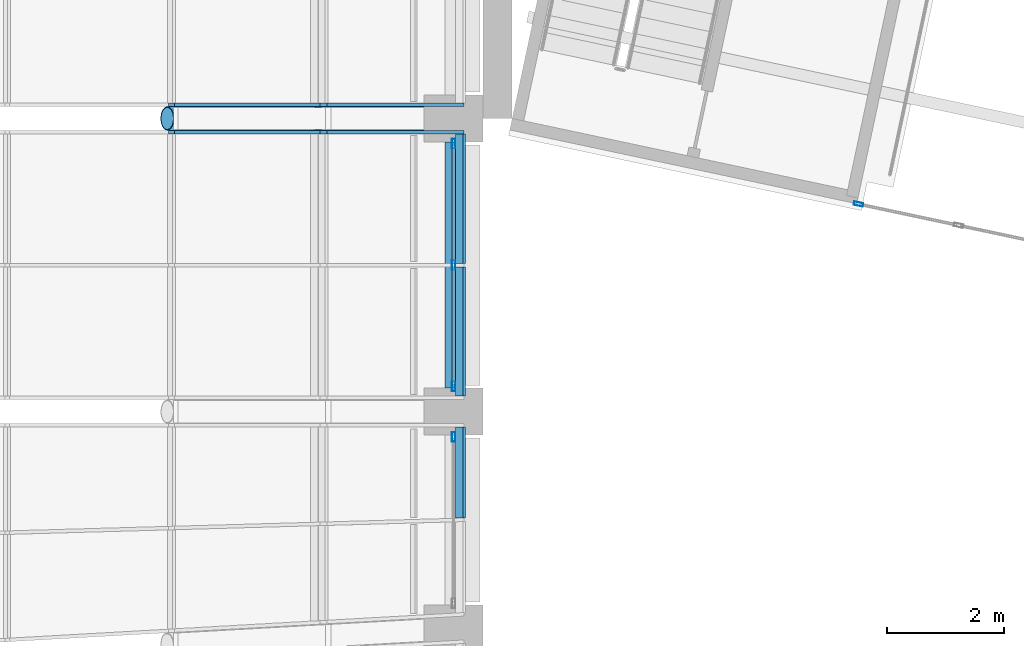
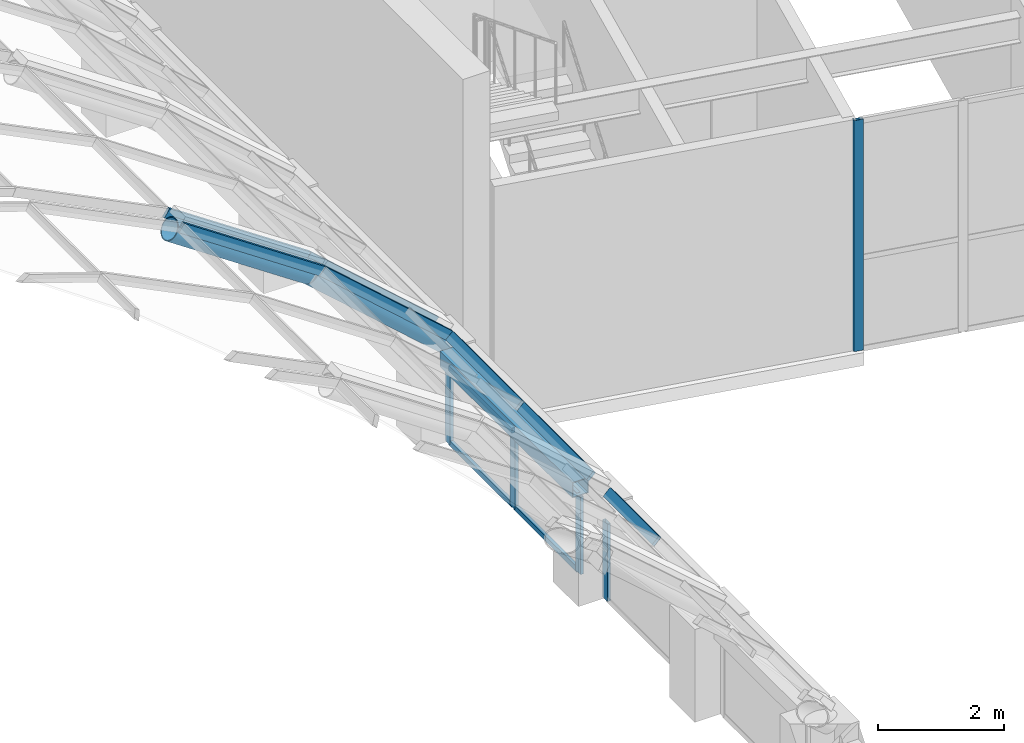
# One storey, part 44 of 182: 18 members, 1 beam, 6 elements without a shape of their own.
"""IFC4 building model written with IfcOpenShell, lengths in metres."""

from ifc_helpers import new_model, si_unit, direction, frame, origin, origin_2d, place, context, subcontext, project, spatial, rectangle, hollow_rectangle, hollow_circle, extrude, material, material_profile, profile_set, type_object, element, aggregate, save


model = new_model("IFC4")

# Units and contexts
model_context = context("Model", 3, precision=1e-05, world=origin(), true_north=direction((0.0, 1.0)))
body_context = subcontext(model_context, "Body", "Model", "MODEL_VIEW")
ifc_project = project(units=[si_unit("LENGTHUNIT", "METRE"), si_unit("AREAUNIT", "SQUARE_METRE"), si_unit("VOLUMEUNIT", "CUBIC_METRE"), si_unit("PLANEANGLEUNIT", "RADIAN"), si_unit("MASSUNIT", "GRAM", prefix="KILO")], contexts=[model_context])

# Site, building, storey
site_placement = place(None, origin())
site = spatial("IfcSite", under=ifc_project, at=site_placement, CompositionType="ELEMENT")
building_placement = place(site_placement, origin())
building = spatial("IfcBuilding", under=site, at=building_placement, Name="Okhra Congress Centre", CompositionType="ELEMENT")
storey_placement = place(building_placement, frame((0.0, 0.0, 7.199951171875)))
storey = spatial("IfcBuildingStorey", under=building, at=storey_placement, Name="L01", CompositionType="ELEMENT", Elevation=7.199951171875)

# Curtain wall, members
ifc_material_1 = material(Name="Aluminium frame with triple glazing", Category="aluminium")
curtain_wall_type_1 = type_object("IfcCurtainWallType", Name="Glazed vault bay curtain wall", PredefinedType="NOTDEFINED", material=ifc_material_1)
curtain_wall_1_placement = place(storey_placement, origin())
curtain_wall_1 = element("IfcCurtainWall", 1, at=curtain_wall_1_placement, inside=storey, type_object=curtain_wall_type_1, Name="Vault glazing bay 4", PredefinedType="NOTDEFINED")
ifc_material_2 = material(Name="Aluminium alloy 6063", Category="aluminium")
ifc_material_profile_1 = material_profile(ifc_material_2, rectangle(XDim=0.06005859375, YDim=0.179931640625, at=origin_2d()), Name="AL 60x180")
ifc_profile_set_1 = profile_set([ifc_material_profile_1], Name="Aluminium alloy 6063")
member_type_1 = type_object("IfcMemberType", Name="Aluminium mullion 60x180", PredefinedType="MULLION", material=ifc_profile_set_1)
member_1_placement = place(storey_placement, frame((184.188720703125, 95.766845703125, 5.7392578125), z_axis=(0.828827846338, 0.0, -0.559503709671), x_axis=(0.0, 1.0, 0.0)))
member_1 = element("IfcMember", 2, at=member_1_placement, type_object=member_type_1, Name="Vault mullion 4.3.11", PredefinedType="MULLION", context=body_context, shape_type="SweptSolid", body=[
    extrude(rectangle(XDim=0.06005859375, YDim=0.179931640625, at=origin_2d()), origin(), (0.0, 0.0, 1.0), 3.12548828125),
])
member_2_placement = place(storey_placement, frame((186.779296875, 95.766845703125, 3.990478515625), z_axis=(0.748025229923, 0.0, -0.663670291183), x_axis=(0.0, 1.0, 0.0)))
member_2 = element("IfcMember", 3, at=member_2_placement, type_object=member_type_1, Name="Vault mullion 4.3.12", PredefinedType="MULLION", context=body_context, shape_type="SweptSolid", body=[
    extrude(rectangle(XDim=0.06005859375, YDim=0.179931640625, at=origin_2d()), origin(), (0.0, 0.0, 1.0), 3.125732421875),
])

curtain_wall_2_placement = place(storey_placement, origin())
curtain_wall_2 = element("IfcCurtainWall", 4, at=curtain_wall_2_placement, inside=storey, type_object=curtain_wall_type_1, Name="Vault glazing bay 5", PredefinedType="NOTDEFINED")
member_3_placement = place(storey_placement, frame((184.188720703125, 96.233154296875, 5.7392578125), z_axis=(0.828827846338, 0.0, -0.559503709671), x_axis=(0.0, 1.0, 0.0)))
member_3 = element("IfcMember", 5, at=member_3_placement, type_object=member_type_1, Name="Vault mullion 5.1.11", PredefinedType="MULLION", context=body_context, shape_type="SweptSolid", body=[
    extrude(rectangle(XDim=0.06005859375, YDim=0.179931640625, at=origin_2d()), origin(), (0.0, 0.0, 1.0), 3.12548828125),
])
member_4_placement = place(storey_placement, frame((186.779296875, 96.233154296875, 3.990478515625), z_axis=(0.748025229923, 0.0, -0.663670291183), x_axis=(0.0, 1.0, 0.0)))
member_4 = element("IfcMember", 6, at=member_4_placement, type_object=member_type_1, Name="Vault mullion 5.1.12", PredefinedType="MULLION", context=body_context, shape_type="SweptSolid", body=[
    extrude(rectangle(XDim=0.06005859375, YDim=0.179931640625, at=origin_2d()), origin(), (0.0, 0.0, 1.0), 3.125732421875),
])
aggregate(curtain_wall_2, [member_3, member_4])

# Curtain wall, member
curtain_wall_3_placement = place(storey_placement, origin())
curtain_wall_3 = element("IfcCurtainWall", 7, at=curtain_wall_3_placement, inside=storey, type_object=curtain_wall_type_1, Name="Vault glazing bay 3", PredefinedType="NOTDEFINED")
ifc_material_profile_2 = material_profile(ifc_material_2, rectangle(XDim=0.06005859375, YDim=0.179931640625, at=origin_2d()), Name="AL 60x180 transom")
ifc_profile_set_2 = profile_set([ifc_material_profile_2], Name="Aluminium alloy 6063")
member_type_2 = type_object("IfcMemberType", Name="Aluminium transom 60x180", PredefinedType="USERDEFINED", material=ifc_profile_set_2)
member_5_placement = place(storey_placement, frame((189.117431640625, 89.183349609375, 1.916015625), z_axis=(0.0, 1.0, 0.0), x_axis=(-0.702636070549, 0.0, 0.711549402616)))
member_5 = element("IfcMember", 8, at=member_5_placement, type_object=member_type_2, Name="Vault transom 3.2.13", ObjectType="TRANSOM", PredefinedType="USERDEFINED", context=body_context, shape_type="SweptSolid", body=[
    extrude(rectangle(XDim=0.06005859375, YDim=0.179931640625, at=origin_2d()), origin(), (0.0, 0.0, 1.0), 1.553466796875),
])
aggregate(curtain_wall_3, [member_5])

# Member
member_6_placement = place(storey_placement, frame((189.117431640625, 91.26318359375, 1.916015625), z_axis=(0.0, 1.0, 0.0), x_axis=(-0.702636070549, 0.0, 0.711549402616)))
member_6 = element("IfcMember", 9, at=member_6_placement, type_object=member_type_2, Name="Vault transom 4.1.13", ObjectType="TRANSOM", PredefinedType="USERDEFINED", context=body_context, shape_type="SweptSolid", body=[
    extrude(rectangle(XDim=0.06005859375, YDim=0.179931640625, at=origin_2d()), origin(), (0.0, 0.0, 1.0), 2.206787109375),
])

member_7_placement = place(storey_placement, frame((189.117431640625, 93.530029296875, 1.916015625), z_axis=(0.0, 1.0, 0.0), x_axis=(-0.702636070549, 0.0, 0.711549402616)))
member_7 = element("IfcMember", 10, at=member_7_placement, type_object=member_type_2, Name="Vault transom 4.2.13", ObjectType="TRANSOM", PredefinedType="USERDEFINED", context=body_context, shape_type="SweptSolid", body=[
    extrude(rectangle(XDim=0.06005859375, YDim=0.179931640625, at=origin_2d()), origin(), (0.0, 0.0, 1.0), 2.206787109375),
])

aggregate(curtain_wall_1, [member_1, member_2, member_6, member_7])

# Curtain wall, member
ifc_material_3 = material(Name="Aluminium curtain wall, triple glazing", Category="aluminium")
curtain_wall_type_2 = type_object("IfcCurtainWallType", Name="Curtain wall 2100 module", PredefinedType="NOTDEFINED", material=ifc_material_3)
curtain_wall_4_placement = place(storey_placement, origin())
curtain_wall_4 = element("IfcCurtainWall", 11, at=curtain_wall_4_placement, inside=storey, type_object=curtain_wall_type_2, Name="East bay 3 clerestory glazing", PredefinedType="NOTDEFINED")
ifc_material_4 = material(Name="Aluminium alloy EN AW-6063 T66", Category="aluminium")
ifc_material_profile_3 = material_profile(ifc_material_4, hollow_rectangle(XDim=0.06005859375, YDim=0.159912109375, WallThickness=0.00390625, at=origin_2d()), Name="RHS 60x160x4")
ifc_profile_set_3 = profile_set([ifc_material_profile_3], Name="Aluminium alloy EN AW-6063 T66")
member_type_3 = type_object("IfcMemberType", Name="Curtain wall mullion 60x160", PredefinedType="MULLION", material=ifc_profile_set_3)
member_8_placement = place(storey_placement, frame((189.0, 90.570068359375, 0.0), z_axis=(0.0, 0.0, 1.0), x_axis=(-1.0, 0.0, 0.0)))
member_8 = element("IfcMember", 12, at=member_8_placement, type_object=member_type_3, Name="CW4 mullion 2", PredefinedType="MULLION", context=body_context, shape_type="SweptSolid", body=[
    extrude(hollow_rectangle(XDim=0.06005859375, YDim=0.159912109375, WallThickness=0.00390625, at=origin_2d()), origin(), (0.0, 0.0, 1.0), 1.5),
])
aggregate(curtain_wall_4, [member_8])

# Curtain wall, members
curtain_wall_5_placement = place(storey_placement, origin())
curtain_wall_5 = element("IfcCurtainWall", 13, at=curtain_wall_5_placement, inside=storey, type_object=curtain_wall_type_2, Name="East bay 4 clerestory glazing", PredefinedType="NOTDEFINED")
member_9_placement = place(storey_placement, frame((189.0, 91.429931640625, 0.0), z_axis=(0.0, 0.0, 1.0), x_axis=(-1.0, 0.0, 0.0)))
member_9 = element("IfcMember", 14, at=member_9_placement, type_object=member_type_3, Name="CW4 mullion 1", PredefinedType="MULLION", context=body_context, shape_type="SweptSolid", body=[
    extrude(hollow_rectangle(XDim=0.06005859375, YDim=0.159912109375, WallThickness=0.00390625, at=origin_2d()), origin(), (0.0, 0.0, 1.0), 1.5),
])
member_10_placement = place(storey_placement, frame((189.0, 93.5, 0.0), z_axis=(0.0, 0.0, 1.0), x_axis=(-1.0, 0.0, 0.0)))
member_10 = element("IfcMember", 15, at=member_10_placement, type_object=member_type_3, Name="CW4 mullion 2", PredefinedType="MULLION", context=body_context, shape_type="SweptSolid", body=[
    extrude(hollow_rectangle(XDim=0.06005859375, YDim=0.159912109375, WallThickness=0.00390625, at=origin_2d()), origin(), (0.0, 0.0, 1.0), 1.5),
])
member_11_placement = place(storey_placement, frame((189.0, 95.570068359375, 0.0), z_axis=(0.0, 0.0, 1.0), x_axis=(-1.0, 0.0, 0.0)))
member_11 = element("IfcMember", 16, at=member_11_placement, type_object=member_type_3, Name="CW4 mullion 3", PredefinedType="MULLION", context=body_context, shape_type="SweptSolid", body=[
    extrude(hollow_rectangle(XDim=0.06005859375, YDim=0.159912109375, WallThickness=0.00390625, at=origin_2d()), origin(), (0.0, 0.0, 1.0), 1.5),
])

# Curtain wall, member
curtain_wall_type_3 = type_object("IfcCurtainWallType", Name="Curtain wall 1775 module", PredefinedType="NOTDEFINED", material=ifc_material_3)
curtain_wall_6_placement = place(storey_placement, origin())
curtain_wall_6 = element("IfcCurtainWall", 17, at=curtain_wall_6_placement, inside=storey, type_object=curtain_wall_type_3, Name="Foyer south upper glazing", PredefinedType="NOTDEFINED")
member_12_placement = place(storey_placement, frame((195.905517578125, 94.540283203125, 0.0), z_axis=(0.0, 0.0, 1.0), x_axis=(0.207911690818, 0.978147600734, 0.0)))
member_12 = element("IfcMember", 18, at=member_12_placement, type_object=member_type_3, Name="CW5 mullion 1", PredefinedType="MULLION", context=body_context, shape_type="SweptSolid", body=[
    extrude(hollow_rectangle(XDim=0.06005859375, YDim=0.159912109375, WallThickness=0.00390625, at=origin_2d()), origin(), (0.0, 0.0, 1.0), 4.47998046875),
])
aggregate(curtain_wall_6, [member_12])

# Member
ifc_material_profile_4 = material_profile(ifc_material_4, hollow_rectangle(XDim=0.06005859375, YDim=0.10009765625, WallThickness=0.00390625, at=origin_2d()), Name="RHS 60x100x4")
ifc_profile_set_4 = profile_set([ifc_material_profile_4], Name="Aluminium alloy EN AW-6063 T66")
member_type_4 = type_object("IfcMemberType", Name="Curtain wall transom 60x100", PredefinedType="USERDEFINED", material=ifc_profile_set_4)
member_13_placement = place(storey_placement, frame((189.0, 91.4599609375, 0.030029296875), z_axis=(0.0, 1.0, 0.0), x_axis=(-1.0, 0.0, 0.0)))
member_13 = element("IfcMember", 19, at=member_13_placement, type_object=member_type_4, Name="CW4 transom 1.1", ObjectType="TRANSOM", PredefinedType="USERDEFINED", context=body_context, shape_type="SweptSolid", body=[
    extrude(hollow_rectangle(XDim=0.06005859375, YDim=0.10009765625, WallThickness=0.00390625, at=origin_2d()), origin(), (0.0, 0.0, 1.0), 2.010009765625),
])

member_14_placement = place(storey_placement, frame((189.0, 91.4599609375, 1.469970703125), z_axis=(0.0, 1.0, 0.0), x_axis=(-1.0, 0.0, 0.0)))
member_14 = element("IfcMember", 20, at=member_14_placement, type_object=member_type_4, Name="CW4 transom 1.2", ObjectType="TRANSOM", PredefinedType="USERDEFINED", context=body_context, shape_type="SweptSolid", body=[
    extrude(hollow_rectangle(XDim=0.06005859375, YDim=0.10009765625, WallThickness=0.00390625, at=origin_2d()), origin(), (0.0, 0.0, 1.0), 2.010009765625),
])

member_15_placement = place(storey_placement, frame((189.0, 93.530029296875, 0.030029296875), z_axis=(0.0, 1.0, 0.0), x_axis=(-1.0, 0.0, 0.0)))
member_15 = element("IfcMember", 21, at=member_15_placement, type_object=member_type_4, Name="CW4 transom 2.1", ObjectType="TRANSOM", PredefinedType="USERDEFINED", context=body_context, shape_type="SweptSolid", body=[
    extrude(hollow_rectangle(XDim=0.06005859375, YDim=0.10009765625, WallThickness=0.00390625, at=origin_2d()), origin(), (0.0, 0.0, 1.0), 2.010009765625),
])

member_16_placement = place(storey_placement, frame((189.0, 93.530029296875, 1.469970703125), z_axis=(0.0, 1.0, 0.0), x_axis=(-1.0, 0.0, 0.0)))
member_16 = element("IfcMember", 22, at=member_16_placement, type_object=member_type_4, Name="CW4 transom 2.2", ObjectType="TRANSOM", PredefinedType="USERDEFINED", context=body_context, shape_type="SweptSolid", body=[
    extrude(hollow_rectangle(XDim=0.06005859375, YDim=0.10009765625, WallThickness=0.00390625, at=origin_2d()), origin(), (0.0, 0.0, 1.0), 2.010009765625),
])

aggregate(curtain_wall_5, [member_9, member_10, member_11, member_13, member_14, member_15, member_16])

# Beam
ifc_material_5 = material(Name="Steel S355J2", Category="steel")
ifc_material_profile_5 = material_profile(ifc_material_5, hollow_rectangle(XDim=0.300048828125, YDim=0.300048828125, WallThickness=0.012451171875, at=origin_2d()), Name="RHS 300x300x12.5")
ifc_profile_set_5 = profile_set([ifc_material_profile_5], Name="Steel S355J2")
beam_type = type_object("IfcBeamType", Name="Steel eaves beam RHS 300x300x12.5", PredefinedType="BEAM", material=ifc_profile_set_5)
beam_placement = place(storey_placement, frame((189.0, 91.39990234375, 1.650146484375), z_axis=(0.0, 1.0, 0.0), x_axis=(-1.0, 0.0, 0.0)))
element("IfcBeam", 23, at=beam_placement, inside=storey, type_object=beam_type, Name="Eaves beam E4", PredefinedType="BEAM", context=body_context, shape_type="SweptSolid", body=[
    extrude(hollow_rectangle(XDim=0.300048828125, YDim=0.300048828125, WallThickness=0.012451171875, at=origin_2d()), origin(), (0.0, 0.0, 1.0), 4.2001953125),
])

# Members
ifc_material_profile_6 = material_profile(ifc_material_5, hollow_circle(Radius=0.203125, WallThickness=0.01611328125, at=origin_2d()), Name="CHS 406.4x16")
ifc_profile_set_6 = profile_set([ifc_material_profile_6], Name="Steel S355J2")
member_type_5 = type_object("IfcMemberType", Name="Tubular steel arch rib CHS 406x16", PredefinedType="USERDEFINED", material=ifc_profile_set_6)
member_17_placement = place(storey_placement, frame((184.116943359375, 96.0, 5.589111328125), z_axis=(0.82882567543, 0.0, -0.559506925558), x_axis=(0.0, 1.0, 0.0)))
element("IfcMember", 24, at=member_17_placement, inside=storey, type_object=member_type_5, Name="Arch rib 5.11", ObjectType="Arch rib", PredefinedType="USERDEFINED", context=body_context, shape_type="SweptSolid", body=[
    extrude(hollow_circle(Radius=0.203125, WallThickness=0.01611328125, at=origin_2d()), origin(), (0.0, 0.0, 1.0), 3.07666015625),
])
member_18_placement = place(storey_placement, frame((186.6884765625, 96.0, 3.85107421875), z_axis=(0.74799336374, 0.0, -0.663706205938), x_axis=(0.0, 1.0, 0.0)))
element("IfcMember", 25, at=member_18_placement, inside=storey, type_object=member_type_5, Name="Arch rib 5.12", ObjectType="Arch rib", PredefinedType="USERDEFINED", context=body_context, shape_type="SweptSolid", body=[
    extrude(hollow_circle(Radius=0.203125, WallThickness=0.01611328125, at=origin_2d()), origin(), (0.0, 0.0, 1.0), 3.3193359375),
])

save(model, "model.ifc")
